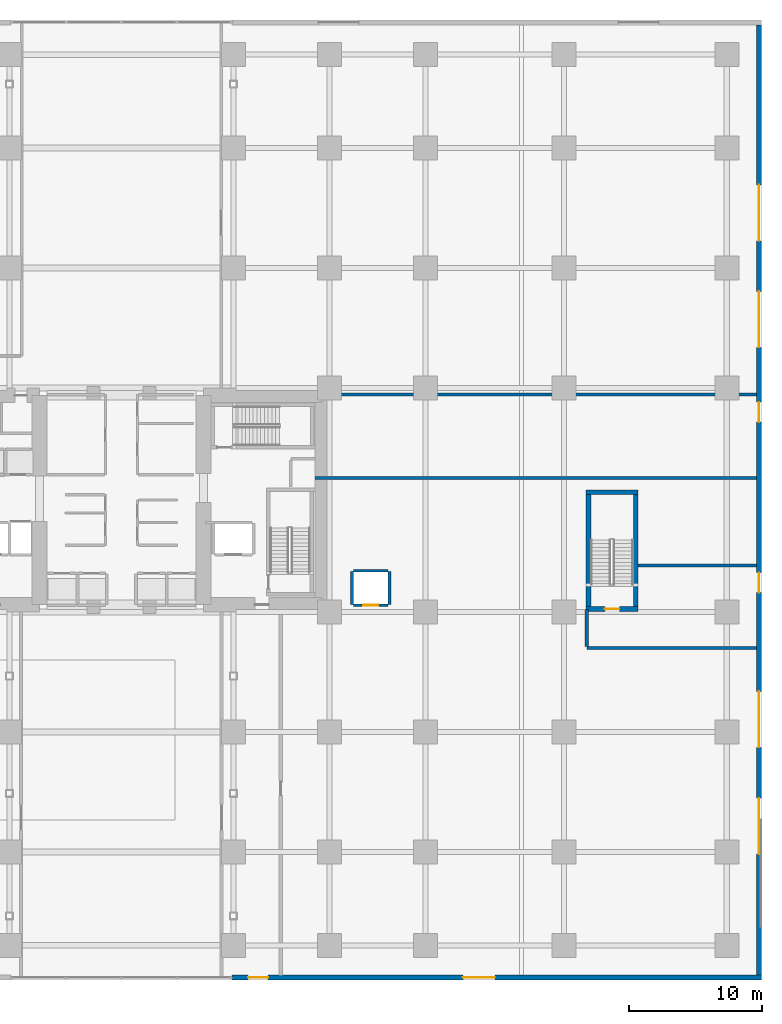
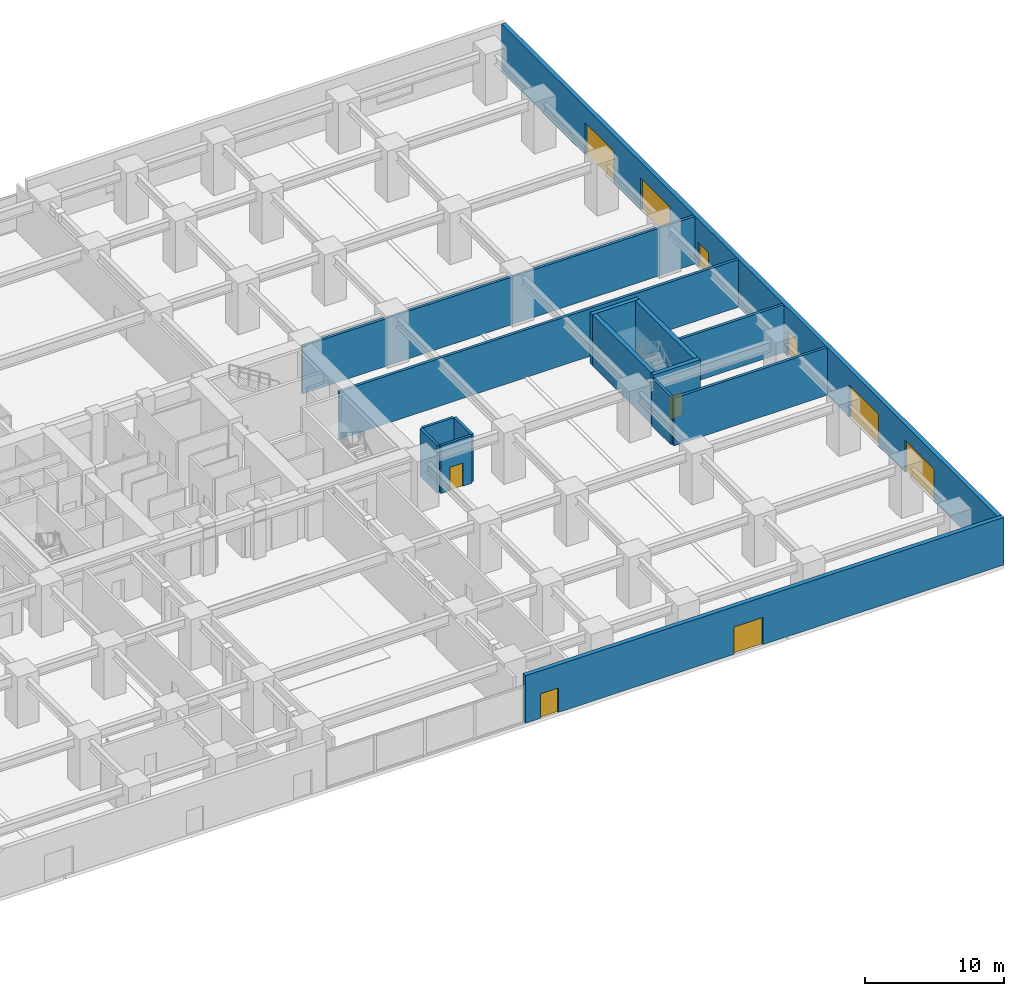
# One storey, part 16 of 26: 15 walls, 10 doors, 10 openings.
"""IFC4 building model written with IfcOpenShell, lengths in metres."""

from ifc_helpers import new_model, si_unit, direction, frame, frame_2d, origin, place, context, subcontext, project, spatial, rectangle, extrude, material, layer, layer_set, type_object, element, fill, save


model = new_model("IFC4")

# Units and contexts
model_context = context("Model", 3, precision=1e-05, world=origin(), true_north=direction((0.0, 1.0)))
body_context = subcontext(model_context, "Body", "Model", "MODEL_VIEW")
ifc_project = project(units=[si_unit("LENGTHUNIT", "METRE"), si_unit("AREAUNIT", "SQUARE_METRE"), si_unit("VOLUMEUNIT", "CUBIC_METRE"), si_unit("PLANEANGLEUNIT", "RADIAN"), si_unit("MASSUNIT", "GRAM", prefix="KILO")], contexts=[model_context])

# Site, building, storey
site_placement = place(None, origin())
site = spatial("IfcSite", under=ifc_project, at=site_placement, CompositionType="ELEMENT")
building_placement = place(site_placement, origin())
building = spatial("IfcBuilding", under=site, at=building_placement, Name="Kiyonajd Concourse Tower", CompositionType="ELEMENT")
storey_placement = place(building_placement, origin())
storey = spatial("IfcBuildingStorey", under=building, at=storey_placement, Name="L01", CompositionType="ELEMENT", Elevation=0.0)

# Wall, openings, doors
ifc_material_1 = material(Name="Precast concrete C50/60", Category="concrete")
ifc_layer_1 = layer(ifc_material_1, 0.360107421875)
ifc_layer_set_1 = layer_set([ifc_layer_1], Name="Precast concrete C50/60")
wall_type_1 = type_object("IfcWallType", Name="WL-EXT-360", PredefinedType="SOLIDWALL", material=ifc_layer_set_1)
wall_1_placement = place(storey_placement, frame((95.820068359375, 71.639892578125, 0.0), z_axis=(0.0, 0.0, 1.0), x_axis=(0.0, -1.0, 0.0)))
wall_1 = element("IfcWall", 1, at=wall_1_placement, inside=storey, type_object=wall_type_1, Name="L01 East Podium Limestone Facade Wall", PredefinedType="SOLIDWALL", context=body_context, shape_type="SweptSolid", body=[
    extrude(rectangle(XDim=71.27978515625, YDim=0.360107421875, at=frame_2d((35.639892578125, 0.0))), origin(), (0.0, 0.0, 1.0), 4.179931640625),
])
opening_1_placement = place(wall_1_placement, frame((12.0, 0.0, 0.0)))
opening_1 = element("IfcOpeningElement", 2, at=opening_1_placement, cuts=wall_1, Name="Opening VG2", PredefinedType="OPENING", context=body_context, shape_type="SweptSolid", body=[
    extrude(rectangle(XDim=4.199951171875, YDim=2.800048828125, at=frame_2d((2.10009765625, 1.39990234375))), frame((0.0, 0.18994140625, 0.0), z_axis=(0.0, -1.0, 0.0), x_axis=(1.0, 0.0, 0.0)), (0.0, 0.0, 1.0), 0.380126953125),
])
opening_2_placement = place(wall_1_placement, frame((20.0, 0.0, 0.0)))
opening_2 = element("IfcOpeningElement", 3, at=opening_2_placement, cuts=wall_1, Name="Opening VG2", PredefinedType="OPENING", context=body_context, shape_type="SweptSolid", body=[
    extrude(rectangle(XDim=4.199951171875, YDim=2.800048828125, at=frame_2d((2.10009765625, 1.39990234375))), frame((0.0, 0.18994140625, 0.0), z_axis=(0.0, -1.0, 0.0), x_axis=(1.0, 0.0, 0.0)), (0.0, 0.0, 1.0), 0.380126953125),
])
opening_3_placement = place(wall_1_placement, frame((50.0, 0.0, 0.0)))
opening_3 = element("IfcOpeningElement", 4, at=opening_3_placement, cuts=wall_1, Name="Opening VG2", PredefinedType="OPENING", context=body_context, shape_type="SweptSolid", body=[
    extrude(rectangle(XDim=4.199951171875, YDim=2.800048828125, at=frame_2d((2.10009765625, 1.39990234375))), frame((0.0, 0.18994140625, 0.0), z_axis=(0.0, -1.0, 0.0), x_axis=(1.0, 0.0, 0.0)), (0.0, 0.0, 1.0), 0.380126953125),
])
opening_4_placement = place(wall_1_placement, frame((58.0, 0.0, 0.0)))
opening_4 = element("IfcOpeningElement", 5, at=opening_4_placement, cuts=wall_1, Name="Opening VG2", PredefinedType="OPENING", context=body_context, shape_type="SweptSolid", body=[
    extrude(rectangle(XDim=4.199951171875, YDim=2.800048828125, at=frame_2d((2.10009765625, 1.39990234375))), frame((0.0, 0.18994140625, 0.0), z_axis=(0.0, -1.0, 0.0), x_axis=(1.0, 0.0, 0.0)), (0.0, 0.0, 1.0), 0.380126953125),
])
opening_5_placement = place(wall_1_placement, frame((28.2900390625, 0.0, 0.0)))
opening_5 = element("IfcOpeningElement", 6, at=opening_5_placement, cuts=wall_1, Name="Opening DEX1", PredefinedType="OPENING", context=body_context, shape_type="SweptSolid", body=[
    extrude(rectangle(XDim=1.5, YDim=2.14990234375, at=frame_2d((0.75, 1.074951171875))), frame((0.0, 0.18994140625, 0.0), z_axis=(0.0, -1.0, 0.0), x_axis=(1.0, 0.0, 0.0)), (0.0, 0.0, 1.0), 0.380126953125),
])
opening_6_placement = place(wall_1_placement, frame((41.090087890625, 0.0, 0.0)))
opening_6 = element("IfcOpeningElement", 7, at=opening_6_placement, cuts=wall_1, Name="Opening DEX1", PredefinedType="OPENING", context=body_context, shape_type="SweptSolid", body=[
    extrude(rectangle(XDim=1.5, YDim=2.14990234375, at=frame_2d((0.75, 1.074951171875))), frame((0.0, 0.18994140625, 0.0), z_axis=(0.0, -1.0, 0.0), x_axis=(1.0, 0.0, 0.0)), (0.0, 0.0, 1.0), 0.380126953125),
])
ifc_material_2 = material(Name="Thermally Broken Anodised Aluminium", Category="aluminium")
door_type_1 = type_object("IfcDoorType", Name="DR-DOCK-VG2", OperationType="ROLLINGUP", PredefinedType="GATE", material=ifc_material_2)
door_1_placement = place(opening_1_placement, origin())
door_1 = element("IfcDoor", 8, at=door_1_placement, inside=storey, type_object=door_type_1, Name="L01 Service Yard Security Shutter Gate 1", OperationType="ROLLINGUP", OverallHeight=2.800048828125, OverallWidth=4.199951171875, PredefinedType="GATE", context=body_context, shape_type="SweptSolid", body=[
    extrude(rectangle(XDim=4.199951171875, YDim=2.800048828125, at=frame_2d((2.10009765625, 1.39990234375))), frame((0.0, 0.02490234375, 0.0), z_axis=(0.0, -1.0, 0.0), x_axis=(1.0, 0.0, 0.0)), (0.0, 0.0, 1.0), 0.050048828125),
])
fill(opening_1, door_1)
door_2_placement = place(opening_2_placement, origin())
door_2 = element("IfcDoor", 9, at=door_2_placement, inside=storey, type_object=door_type_1, Name="L01 Service Yard Security Shutter Gate 2", OperationType="ROLLINGUP", OverallHeight=2.800048828125, OverallWidth=4.199951171875, PredefinedType="GATE", context=body_context, shape_type="SweptSolid", body=[
    extrude(rectangle(XDim=4.199951171875, YDim=2.800048828125, at=frame_2d((2.10009765625, 1.39990234375))), frame((0.0, 0.02490234375, 0.0), z_axis=(0.0, -1.0, 0.0), x_axis=(1.0, 0.0, 0.0)), (0.0, 0.0, 1.0), 0.050048828125),
])
fill(opening_2, door_2)
door_3_placement = place(opening_3_placement, origin())
door_3 = element("IfcDoor", 10, at=door_3_placement, inside=storey, type_object=door_type_1, Name="L01 Service Yard Security Shutter Gate 3", OperationType="ROLLINGUP", OverallHeight=2.800048828125, OverallWidth=4.199951171875, PredefinedType="GATE", context=body_context, shape_type="SweptSolid", body=[
    extrude(rectangle(XDim=4.199951171875, YDim=2.800048828125, at=frame_2d((2.10009765625, 1.39990234375))), frame((0.0, 0.02490234375, 0.0), z_axis=(0.0, -1.0, 0.0), x_axis=(1.0, 0.0, 0.0)), (0.0, 0.0, 1.0), 0.050048828125),
])
fill(opening_3, door_3)
door_4_placement = place(opening_4_placement, origin())
door_4 = element("IfcDoor", 11, at=door_4_placement, inside=storey, type_object=door_type_1, Name="L01 Service Yard Security Shutter Gate 4", OperationType="ROLLINGUP", OverallHeight=2.800048828125, OverallWidth=4.199951171875, PredefinedType="GATE", context=body_context, shape_type="SweptSolid", body=[
    extrude(rectangle(XDim=4.199951171875, YDim=2.800048828125, at=frame_2d((2.10009765625, 1.39990234375))), frame((0.0, 0.02490234375, 0.0), z_axis=(0.0, -1.0, 0.0), x_axis=(1.0, 0.0, 0.0)), (0.0, 0.0, 1.0), 0.050048828125),
])
fill(opening_4, door_4)
door_type_2 = type_object("IfcDoorType", Name="DR-EXIT-1500", OperationType="DOUBLE_DOOR_SINGLE_SWING", PredefinedType="DOOR", material=ifc_material_2)
door_5_placement = place(opening_5_placement, origin())
door_5 = element("IfcDoor", 12, at=door_5_placement, inside=storey, type_object=door_type_2, Name="L01 Protected Exit Passage ST3 Discharge Door", OperationType="DOUBLE_DOOR_SINGLE_SWING", OverallHeight=2.14990234375, OverallWidth=1.5, PredefinedType="DOOR", context=body_context, shape_type="SweptSolid", body=[
    extrude(rectangle(XDim=1.5, YDim=2.14990234375, at=frame_2d((0.75, 1.074951171875))), frame((0.0, 0.02490234375, 0.0), z_axis=(0.0, -1.0, 0.0), x_axis=(1.0, 0.0, 0.0)), (0.0, 0.0, 1.0), 0.050048828125),
])
fill(opening_5, door_5)
door_6_placement = place(opening_6_placement, origin())
door_6 = element("IfcDoor", 13, at=door_6_placement, inside=storey, type_object=door_type_2, Name="L01 Protected Exit Passage ST5 Discharge Door", OperationType="DOUBLE_DOOR_SINGLE_SWING", OverallHeight=2.14990234375, OverallWidth=1.5, PredefinedType="DOOR", context=body_context, shape_type="SweptSolid", body=[
    extrude(rectangle(XDim=1.5, YDim=2.14990234375, at=frame_2d((0.75, 1.074951171875))), frame((0.0, 0.02490234375, 0.0), z_axis=(0.0, -1.0, 0.0), x_axis=(1.0, 0.0, 0.0)), (0.0, 0.0, 1.0), 0.050048828125),
])
fill(opening_6, door_6)

wall_2_placement = place(storey_placement, frame((96.0, 0.179931640625, 0.0), z_axis=(0.0, 0.0, 1.0), x_axis=(-1.0, 0.0, 0.0)))
wall_2 = element("IfcWall", 14, at=wall_2_placement, inside=storey, type_object=wall_type_1, Name="L01 South East Podium Facade Wall", PredefinedType="SOLIDWALL", context=body_context, shape_type="SweptSolid", body=[
    extrude(rectangle(XDim=39.719970703125, YDim=0.360107421875, at=frame_2d((19.85986328125, 0.0))), origin(), (0.0, 0.0, 1.0), 4.179931640625),
])
opening_7_placement = place(wall_2_placement, frame((37.0, 0.0, 0.0)))
opening_7 = element("IfcOpeningElement", 15, at=opening_7_placement, cuts=wall_2, Name="Opening DEX1", PredefinedType="OPENING", context=body_context, shape_type="SweptSolid", body=[
    extrude(rectangle(XDim=1.5, YDim=2.14990234375, at=frame_2d((0.75, 1.074951171875))), frame((0.0, 0.18994140625, 0.0), z_axis=(0.0, -1.0, 0.0), x_axis=(1.0, 0.0, 0.0)), (0.0, 0.0, 1.0), 0.380126953125),
])
opening_8_placement = place(wall_2_placement, frame((20.0, 0.0, 0.0)))
opening_8 = element("IfcOpeningElement", 16, at=opening_8_placement, cuts=wall_2, Name="Opening DCN1", PredefinedType="OPENING", context=body_context, shape_type="SweptSolid", body=[
    extrude(rectangle(XDim=2.39990234375, YDim=2.39990234375, at=frame_2d((1.199951171875, 1.199951171875))), frame((0.0, 0.18994140625, 0.0), z_axis=(0.0, -1.0, 0.0), x_axis=(1.0, 0.0, 0.0)), (0.0, 0.0, 1.0), 0.380126953125),
])
door_type_3 = type_object("IfcDoorType", Name="DR-CON-2400", OperationType="DOUBLE_DOOR_SINGLE_SWING", PredefinedType="DOOR", material=ifc_material_2)
door_7_placement = place(opening_8_placement, origin())
door_7 = element("IfcDoor", 17, at=door_7_placement, inside=storey, type_object=door_type_3, Name="L01 South Retail Gallery Entrance Door", OperationType="DOUBLE_DOOR_SINGLE_SWING", OverallHeight=2.39990234375, OverallWidth=2.39990234375, PredefinedType="DOOR", context=body_context, shape_type="SweptSolid", body=[
    extrude(rectangle(XDim=2.39990234375, YDim=2.39990234375, at=frame_2d((1.199951171875, 1.199951171875))), frame((0.0, 0.02490234375, 0.0), z_axis=(0.0, -1.0, 0.0), x_axis=(1.0, 0.0, 0.0)), (0.0, 0.0, 1.0), 0.050048828125),
])
fill(opening_8, door_7)
door_8_placement = place(opening_7_placement, origin())
door_8 = element("IfcDoor", 18, at=door_8_placement, inside=storey, type_object=door_type_2, Name="L01 Protected Exit Passage ST2 Discharge Door", OperationType="DOUBLE_DOOR_SINGLE_SWING", OverallHeight=2.14990234375, OverallWidth=1.5, PredefinedType="DOOR", context=body_context, shape_type="SweptSolid", body=[
    extrude(rectangle(XDim=1.5, YDim=2.14990234375, at=frame_2d((0.75, 1.074951171875))), frame((0.0, 0.02490234375, 0.0), z_axis=(0.0, -1.0, 0.0), x_axis=(1.0, 0.0, 0.0)), (0.0, 0.0, 1.0), 0.050048828125),
])
fill(opening_7, door_8)

# Walls
ifc_material_3 = material(Name="Gypsum Board on Cold-Formed Steel Stud", Category="steel")
ifc_layer_2 = layer(ifc_material_3, 0.22998046875)
ifc_layer_set_2 = layer_set([ifc_layer_2], Name="Gypsum Board on Cold-Formed Steel Stud")
wall_type_2 = type_object("IfcWallType", Name="WL-FIRE-230", PredefinedType="PARTITIONING", material=ifc_layer_set_2)
wall_3_placement = place(storey_placement, frame((62.5, 37.64990234375, 0.0), z_axis=(0.0, 0.0, 1.0), x_axis=(1.0, 0.0, 0.0)))
element("IfcWall", 19, at=wall_3_placement, inside=storey, type_object=wall_type_2, Name="L01 Interior Partition Wall", PredefinedType="PARTITIONING", context=body_context, shape_type="SweptSolid", body=[
    extrude(rectangle(XDim=33.135009765625, YDim=0.22998046875, at=frame_2d((16.5673828125, 0.0))), origin(), (0.0, 0.0, 1.0), 4.179931640625),
])
wall_4_placement = place(storey_placement, frame((63.050048828125, 43.89990234375, 0.0), z_axis=(0.0, 0.0, 1.0), x_axis=(1.0, 0.0, 0.0)))
element("IfcWall", 20, at=wall_4_placement, inside=storey, type_object=wall_type_2, Name="L01 Interior Partition Wall", PredefinedType="PARTITIONING", context=body_context, shape_type="SweptSolid", body=[
    extrude(rectangle(XDim=32.5849609375, YDim=0.22998046875, at=frame_2d((16.29248046875, 0.0))), origin(), (0.0, 0.0, 1.0), 4.179931640625),
])
wall_5_placement = place(storey_placement, frame((82.89990234375, 24.89990234375, 0.0), z_axis=(0.0, 0.0, 1.0), x_axis=(1.0, 0.0, 0.0)))
element("IfcWall", 21, at=wall_5_placement, inside=storey, type_object=wall_type_2, Name="L01 Interior Partition Wall", PredefinedType="PARTITIONING", context=body_context, shape_type="SweptSolid", body=[
    extrude(rectangle(XDim=12.735107421875, YDim=0.22998046875, at=frame_2d((6.36767578125, 0.0))), origin(), (0.0, 0.0, 1.0), 4.179931640625),
])
wall_6_placement = place(storey_placement, frame((82.89990234375, 25.01708984375, 0.0), z_axis=(0.0, 0.0, 1.0), x_axis=(0.0, 1.0, 0.0)))
element("IfcWall", 22, at=wall_6_placement, inside=storey, type_object=wall_type_2, Name="L01 Interior Partition Wall", PredefinedType="PARTITIONING", context=body_context, shape_type="SweptSolid", body=[
    extrude(rectangle(XDim=2.781005859375, YDim=0.22998046875, at=frame_2d((1.390625, 0.0))), origin(), (0.0, 0.0, 1.0), 4.179931640625),
])
wall_7_placement = place(storey_placement, frame((86.75, 31.10009765625, 0.0), z_axis=(0.0, 0.0, 1.0), x_axis=(1.0, 0.0, 0.0)))
element("IfcWall", 23, at=wall_7_placement, inside=storey, type_object=wall_type_2, Name="L01 Interior Partition Wall", PredefinedType="PARTITIONING", context=body_context, shape_type="SweptSolid", body=[
    extrude(rectangle(XDim=8.885009765625, YDim=0.22998046875, at=frame_2d((4.4423828125, 0.0))), origin(), (0.0, 0.0, 1.0), 4.179931640625),
])

# Wall, opening, door
ifc_layer_3 = layer(ifc_material_3, 0.2099609375)
ifc_layer_set_3 = layer_set([ifc_layer_3], Name="Gypsum Board on Cold-Formed Steel Stud")
wall_type_3 = type_object("IfcWallType", Name="WL-SHAFT-210", PredefinedType="PARTITIONING", material=ifc_layer_set_3)
wall_8_placement = place(storey_placement, frame((65.39990234375, 28.10009765625, 0.0), z_axis=(0.0, 0.0, 1.0), x_axis=(1.0, 0.0, 0.0)))
wall_8 = element("IfcWall", 24, at=wall_8_placement, inside=storey, type_object=wall_type_3, Name="L01 Shaft Enclosure Wall", PredefinedType="PARTITIONING", context=body_context, shape_type="SweptSolid", body=[
    extrude(rectangle(XDim=2.60009765625, YDim=0.2099609375, at=frame_2d((1.300048828125, 0.0))), origin(), (0.0, 0.0, 1.0), 4.179931640625),
])
opening_9_placement = place(wall_8_placement, frame((0.75, 0.0, 0.0)))
opening_9 = element("IfcOpeningElement", 25, at=opening_9_placement, cuts=wall_8, Name="Opening LD1", PredefinedType="OPENING", context=body_context, shape_type="SweptSolid", body=[
    extrude(rectangle(XDim=1.10009765625, YDim=2.0400390625, at=frame_2d((0.550048828125, 1.02001953125))), frame((0.0, 0.114990234375, 0.0), z_axis=(0.0, -1.0, 0.0), x_axis=(1.0, 0.0, 0.0)), (0.0, 0.0, 1.0), 0.22998046875),
])
ifc_material_4 = material(Name="Brushed Stainless Steel Cab Assembly", Category="steel")
door_type_4 = type_object("IfcDoorType", Name="DR-LD-1100", OperationType="DOUBLE_DOOR_SLIDING", PredefinedType="DOOR", material=ifc_material_4)
door_9_placement = place(opening_9_placement, origin())
door_9 = element("IfcDoor", 26, at=door_9_placement, inside=storey, type_object=door_type_4, Name="L01 Lift PD2 Sliding Landing Door", OperationType="DOUBLE_DOOR_SLIDING", OverallHeight=2.0400390625, OverallWidth=1.10009765625, PredefinedType="DOOR", context=body_context, shape_type="SweptSolid", body=[
    extrude(rectangle(XDim=1.10009765625, YDim=2.0400390625, at=frame_2d((0.550048828125, 1.02001953125))), frame((0.0, 0.02490234375, 0.0), z_axis=(0.0, -1.0, 0.0), x_axis=(1.0, 0.0, 0.0)), (0.0, 0.0, 1.0), 0.050048828125),
])
fill(opening_9, door_9)

# Walls
wall_9_placement = place(storey_placement, frame((65.39990234375, 30.699951171875, 0.0), z_axis=(0.0, 0.0, 1.0), x_axis=(1.0, 0.0, 0.0)))
element("IfcWall", 27, at=wall_9_placement, inside=storey, type_object=wall_type_3, Name="L01 Shaft Enclosure Wall", PredefinedType="PARTITIONING", context=body_context, shape_type="SweptSolid", body=[
    extrude(rectangle(XDim=2.60009765625, YDim=0.2099609375, at=frame_2d((1.300048828125, 0.0))), origin(), (0.0, 0.0, 1.0), 4.179931640625),
])
for number, where, z_axis, x_axis, name in (
    (28, (65.300048828125, 28.159912109375, 0.0), (0.0, 0.0, 1.0), (0.0, 1.0, 0.0), "L01 Shaft Enclosure Wall"),
    (29, (68.10009765625, 28.159912109375, 0.0), (0.0, 0.0, 1.0), (0.0, 1.0, 0.0), "L01 Shaft Enclosure Wall"),
):
    element("IfcWall", number, at=place(storey_placement, frame(where, z_axis=z_axis, x_axis=x_axis)), inside=storey, type_object=wall_type_3, Name=name, PredefinedType="PARTITIONING", context=body_context, shape_type="SweptSolid", body=[
        extrude(rectangle(XDim=2.47998046875, YDim=0.2099609375, at=frame_2d((1.239990234375, 0.0))), origin(), (0.0, 0.0, 1.0), 4.179931640625),
    ])

# Wall, opening, door
ifc_material_5 = material(Name="Concrete C50/60", Category="concrete")
ifc_layer_4 = layer(ifc_material_5, 0.35009765625)
ifc_layer_set_4 = layer_set([ifc_layer_4], Name="Concrete C50/60")
wall_type_4 = type_object("IfcWallType", Name="WL-STAIR-350", PredefinedType="SHEAR", material=ifc_layer_set_4)
wall_10_placement = place(storey_placement, frame((82.85009765625, 27.824951171875, 0.0), z_axis=(0.0, 0.0, 1.0), x_axis=(1.0, 0.0, 0.0)))
wall_10 = element("IfcWall", 30, at=wall_10_placement, inside=storey, type_object=wall_type_4, Name="L01 Stair ST5 Structural South Wall", PredefinedType="SHEAR", context=body_context, shape_type="SweptSolid", body=[
    extrude(rectangle(XDim=3.89990234375, YDim=0.35009765625, at=frame_2d((1.949951171875, 0.0))), origin(), (0.0, 0.0, 1.0), 4.5),
])
opening_10_placement = place(wall_10_placement, frame((1.39990234375, 0.0, 0.0)))
opening_10 = element("IfcOpeningElement", 31, at=opening_10_placement, cuts=wall_10, Name="Opening DF2", PredefinedType="OPENING", context=body_context, shape_type="SweptSolid", body=[
    extrude(rectangle(XDim=1.10009765625, YDim=2.050048828125, at=frame_2d((0.550048828125, 1.02490234375))), frame((0.0, 0.18505859375, 0.0), z_axis=(0.0, -1.0, 0.0), x_axis=(1.0, 0.0, 0.0)), (0.0, 0.0, 1.0), 0.3701171875),
])
door_type_5 = type_object("IfcDoorType", Name="DR-FD90-1100", OperationType="NOTDEFINED", PredefinedType="DOOR", material=ifc_material_4)
door_10_placement = place(opening_10_placement, origin())
door_10 = element("IfcDoor", 32, at=door_10_placement, inside=storey, type_object=door_type_5, Name="L01 Stair ST5 Fire Door", OperationType="SINGLE_SWING_RIGHT", OverallHeight=2.050048828125, OverallWidth=1.10009765625, PredefinedType="DOOR", context=body_context, shape_type="SweptSolid", body=[
    extrude(rectangle(XDim=1.10009765625, YDim=2.050048828125, at=frame_2d((0.550048828125, 1.02490234375))), frame((0.0, 0.02490234375, 0.0), z_axis=(0.0, -1.0, 0.0), x_axis=(1.0, 0.0, 0.0)), (0.0, 0.0, 1.0), 0.050048828125),
])
fill(opening_10, door_10)

# Walls
wall_11_placement = place(storey_placement, frame((82.85009765625, 36.574951171875, 0.0), z_axis=(0.0, 0.0, 1.0), x_axis=(1.0, 0.0, 0.0)))
element("IfcWall", 33, at=wall_11_placement, inside=storey, type_object=wall_type_4, Name="L01 Stair ST5 Structural North Wall", PredefinedType="SHEAR", context=body_context, shape_type="SweptSolid", body=[
    extrude(rectangle(XDim=3.89990234375, YDim=0.35009765625, at=frame_2d((1.949951171875, 0.0))), origin(), (0.0, 0.0, 1.0), 4.5),
])
for number, where, z_axis, x_axis, name in (
    (34, (83.02490234375, 28.0, 0.0), (0.0, 0.0, 1.0), (0.0, 1.0, 0.0), "L01 Stair ST5 Structural West Wall"),
    (35, (86.574951171875, 28.0, 0.0), (0.0, 0.0, 1.0), (0.0, 1.0, 0.0), "L01 Stair ST5 Structural East Wall"),
):
    element("IfcWall", number, at=place(storey_placement, frame(where, z_axis=z_axis, x_axis=x_axis)), inside=storey, type_object=wall_type_4, Name=name, PredefinedType="SHEAR", context=body_context, shape_type="SweptSolid", body=[
        extrude(rectangle(XDim=8.39990234375, YDim=0.35009765625, at=frame_2d((4.199951171875, 0.0))), origin(), (0.0, 0.0, 1.0), 4.5),
    ])

save(model, "model.ifc")
